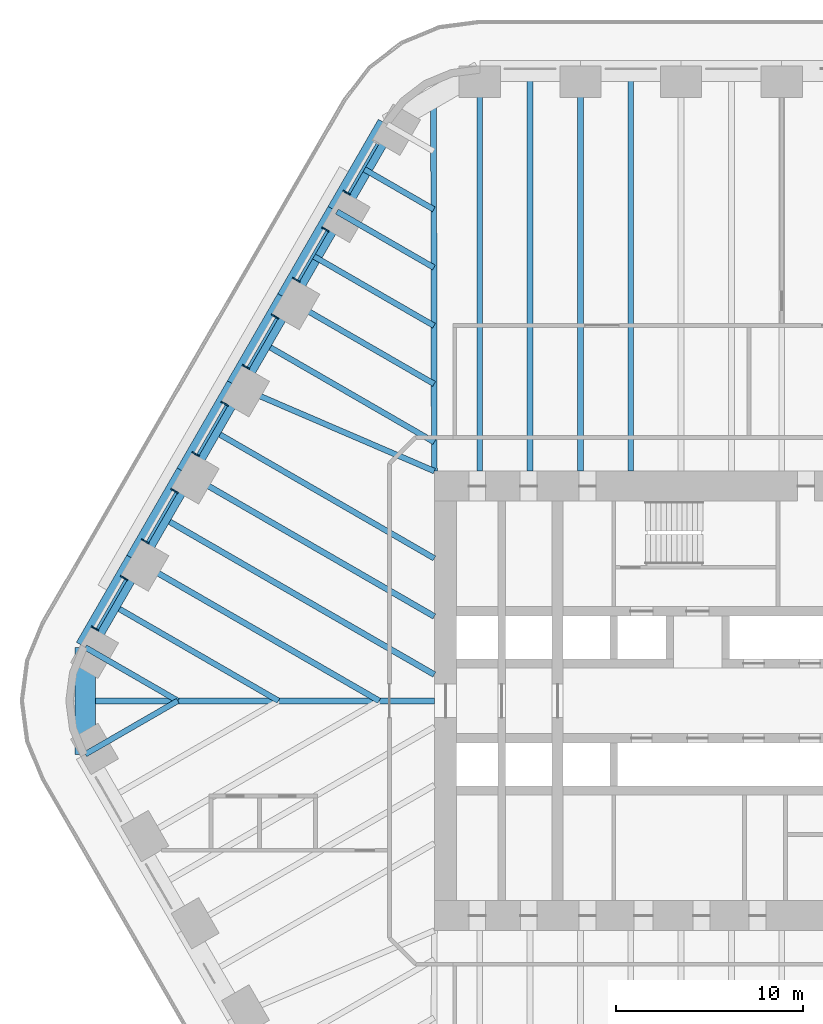
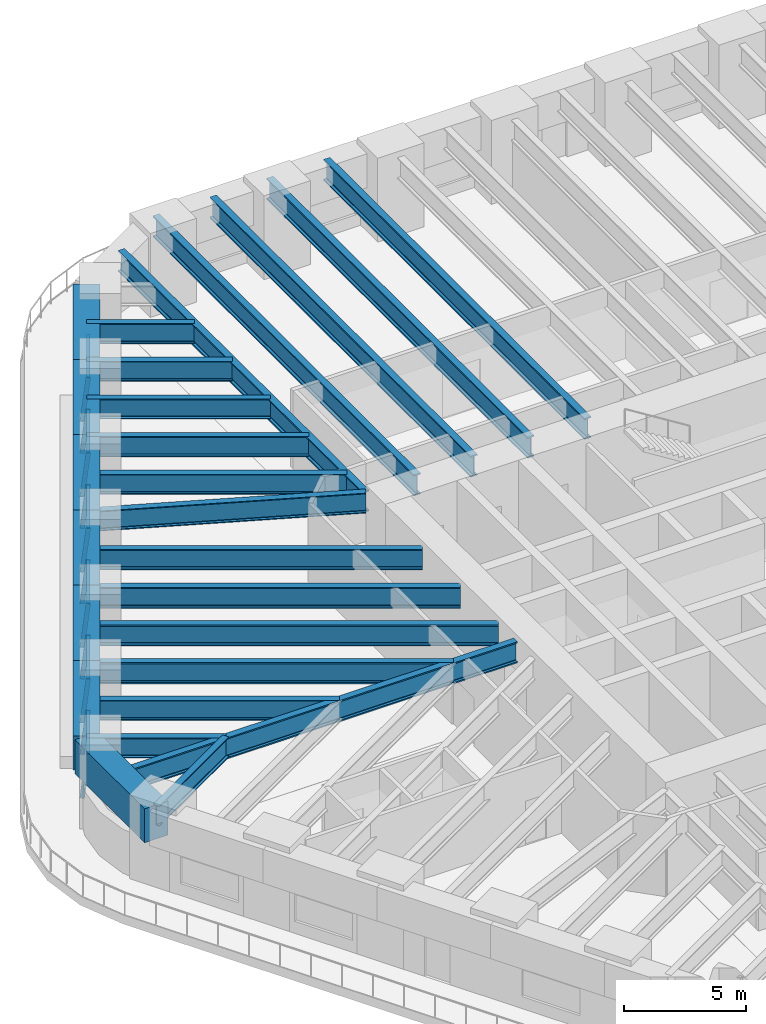
# One storey, part 4 of 16: 26 beams, 17 members, 6 elements without a shape of their own.
"""IFC4 building model written with IfcOpenShell, lengths in metres."""

from ifc_helpers import new_model, si_unit, direction, frame, origin, origin_2d, place, context, subcontext, project, spatial, rectangle, i_section, extrude, material, material_profile, profile_set, type_object, element, aggregate, save


model = new_model("IFC4")

# Units and contexts
model_context = context("Model", 3, precision=1e-05, world=origin(), true_north=direction((0.0, 1.0)))
body_context = subcontext(model_context, "Body", "Model", "MODEL_VIEW")
ifc_project = project(units=[si_unit("LENGTHUNIT", "METRE"), si_unit("AREAUNIT", "SQUARE_METRE"), si_unit("VOLUMEUNIT", "CUBIC_METRE"), si_unit("PLANEANGLEUNIT", "RADIAN"), si_unit("MASSUNIT", "GRAM", prefix="KILO")], contexts=[model_context])

# Site, building, storey
site_placement = place(None, origin())
site = spatial("IfcSite", under=ifc_project, at=site_placement, CompositionType="ELEMENT")
building_placement = place(site_placement, origin())
building = spatial("IfcBuilding", under=site, at=building_placement, Name="Tarfa Lantern Tower", CompositionType="ELEMENT")
storey_placement = place(building_placement, frame((0.0, 0.0, 103.300048828125)))
storey = spatial("IfcBuildingStorey", under=building, at=storey_placement, Name="L23", CompositionType="ELEMENT", Elevation=103.300048828125)

# Curtain wall, member
ifc_material_1 = material(Name="Aluminium framed curtain wall", Category="aluminium")
curtain_wall_type = type_object("IfcCurtainWallType", Name="CW1 CANTED GLAZING LOW ZONE 2200", PredefinedType="USERDEFINED", material=ifc_material_1)
curtain_wall_1_placement = place(storey_placement, origin())
curtain_wall_1 = element("IfcCurtainWall", 1, at=curtain_wall_1_placement, inside=storey, type_object=curtain_wall_type, Name="CW1 NW L23", ObjectType="CURTAIN WALL", PredefinedType="USERDEFINED")
ifc_material_2 = material(Name="Aluminium mullion", Category="aluminium")
ifc_material_profile_1 = material_profile(ifc_material_2, rectangle(XDim=0.06494140625, YDim=0.199951171875, at=origin_2d()), Name="AL MULLION 65x200")
ifc_profile_set_1 = profile_set([ifc_material_profile_1], Name="Aluminium mullion")
member_type_1 = type_object("IfcMemberType", Name="CWM1 MULLION 65x200", PredefinedType="MULLION", material=ifc_profile_set_1)
member_1_placement = place(storey_placement, frame((-23.4033203125, 27.26416015625, 0.0), z_axis=(0.097696336912, -0.056456573927, 0.99361364776), x_axis=(0.500342721131, 0.865827443207, 0.0)))
member_1 = element("IfcMember", 2, at=member_1_placement, type_object=member_type_1, Name="CW1 mullion 2", PredefinedType="MULLION", context=body_context, shape_type="SweptSolid", body=[
    extrude(rectangle(XDim=0.06494140625, YDim=0.199951171875, at=origin_2d()), origin(), (0.0, 0.0, 1.0), 2.214111328125),
])

# Curtain wall, members
curtain_wall_2_placement = place(storey_placement, origin())
curtain_wall_2 = element("IfcCurtainWall", 3, at=curtain_wall_2_placement, inside=storey, type_object=curtain_wall_type, Name="CW1 NW L23", ObjectType="CURTAIN WALL", PredefinedType="USERDEFINED")
member_2_placement = place(storey_placement, frame((-24.535888671875, 25.302490234375, 0.0), z_axis=(0.097805549444, -0.056455965406, 0.993602938033), x_axis=(0.499919672301, 0.866071776036, 0.0)))
member_2 = element("IfcMember", 4, at=member_2_placement, type_object=member_type_1, Name="CW1 mullion 1", PredefinedType="MULLION", context=body_context, shape_type="SweptSolid", body=[
    extrude(rectangle(XDim=0.06494140625, YDim=0.199951171875, at=origin_2d()), origin(), (0.0, 0.0, 1.0), 2.214111328125),
])
member_3_placement = place(storey_placement, frame((-26.09765625, 22.597412109375, 0.0), z_axis=(0.097805549444, -0.056455965406, 0.993602938033), x_axis=(0.499919672301, 0.866071776036, 0.0)))
member_3 = element("IfcMember", 5, at=member_3_placement, type_object=member_type_1, Name="CW1 mullion 2", PredefinedType="MULLION", context=body_context, shape_type="SweptSolid", body=[
    extrude(rectangle(XDim=0.06494140625, YDim=0.199951171875, at=origin_2d()), origin(), (0.0, 0.0, 1.0), 2.214111328125),
])

curtain_wall_3_placement = place(storey_placement, origin())
curtain_wall_3 = element("IfcCurtainWall", 6, at=curtain_wall_3_placement, inside=storey, type_object=curtain_wall_type, Name="CW1 NW L23", ObjectType="CURTAIN WALL", PredefinedType="USERDEFINED")
member_4_placement = place(storey_placement, frame((-27.230224609375, 20.635986328125, 0.0), z_axis=(0.097805549444, -0.056455965406, 0.993602938033), x_axis=(0.499919672301, 0.866071776036, 0.0)))
member_4 = element("IfcMember", 7, at=member_4_placement, type_object=member_type_1, Name="CW1 mullion 1", PredefinedType="MULLION", context=body_context, shape_type="SweptSolid", body=[
    extrude(rectangle(XDim=0.06494140625, YDim=0.199951171875, at=origin_2d()), origin(), (0.0, 0.0, 1.0), 2.214111328125),
])
member_5_placement = place(storey_placement, frame((-28.7919921875, 17.9306640625, 0.0), z_axis=(0.097805549444, -0.056455965406, 0.993602938033), x_axis=(0.499919672301, 0.866071776036, 0.0)))
member_5 = element("IfcMember", 8, at=member_5_placement, type_object=member_type_1, Name="CW1 mullion 2", PredefinedType="MULLION", context=body_context, shape_type="SweptSolid", body=[
    extrude(rectangle(XDim=0.06494140625, YDim=0.199951171875, at=origin_2d()), origin(), (0.0, 0.0, 1.0), 2.214111328125),
])

curtain_wall_4_placement = place(storey_placement, origin())
curtain_wall_4 = element("IfcCurtainWall", 9, at=curtain_wall_4_placement, inside=storey, type_object=curtain_wall_type, Name="CW1 NW L23", ObjectType="CURTAIN WALL", PredefinedType="USERDEFINED")
member_6_placement = place(storey_placement, frame((-29.924560546875, 15.96923828125, 0.0), z_axis=(0.097805549444, -0.056455965406, 0.993602938033), x_axis=(0.499919672301, 0.866071776036, 0.0)))
member_6 = element("IfcMember", 10, at=member_6_placement, type_object=member_type_1, Name="CW1 mullion 1", PredefinedType="MULLION", context=body_context, shape_type="SweptSolid", body=[
    extrude(rectangle(XDim=0.06494140625, YDim=0.199951171875, at=origin_2d()), origin(), (0.0, 0.0, 1.0), 2.214111328125),
])
member_7_placement = place(storey_placement, frame((-31.486328125, 13.26416015625, 0.0), z_axis=(0.097805549444, -0.056455965406, 0.993602938033), x_axis=(0.499919672301, 0.866071776036, 0.0)))
member_7 = element("IfcMember", 11, at=member_7_placement, type_object=member_type_1, Name="CW1 mullion 2", PredefinedType="MULLION", context=body_context, shape_type="SweptSolid", body=[
    extrude(rectangle(XDim=0.06494140625, YDim=0.199951171875, at=origin_2d()), origin(), (0.0, 0.0, 1.0), 2.214111328125),
])

curtain_wall_5_placement = place(storey_placement, origin())
curtain_wall_5 = element("IfcCurtainWall", 12, at=curtain_wall_5_placement, inside=storey, type_object=curtain_wall_type, Name="CW1 NW L23", ObjectType="CURTAIN WALL", PredefinedType="USERDEFINED")
member_8_placement = place(storey_placement, frame((-32.618896484375, 11.302490234375, 0.0), z_axis=(0.097805549444, -0.056455965406, 0.993602938033), x_axis=(0.499919672301, 0.866071776036, 0.0)))
member_8 = element("IfcMember", 13, at=member_8_placement, type_object=member_type_1, Name="CW1 mullion 1", PredefinedType="MULLION", context=body_context, shape_type="SweptSolid", body=[
    extrude(rectangle(XDim=0.06494140625, YDim=0.199951171875, at=origin_2d()), origin(), (0.0, 0.0, 1.0), 2.214111328125),
])
member_9_placement = place(storey_placement, frame((-34.1806640625, 8.597412109375, 0.0), z_axis=(0.097805549444, -0.056455965406, 0.993602938033), x_axis=(0.499919672301, 0.866071776036, 0.0)))
member_9 = element("IfcMember", 14, at=member_9_placement, type_object=member_type_1, Name="CW1 mullion 2", PredefinedType="MULLION", context=body_context, shape_type="SweptSolid", body=[
    extrude(rectangle(XDim=0.06494140625, YDim=0.199951171875, at=origin_2d()), origin(), (0.0, 0.0, 1.0), 2.214111328125),
])

curtain_wall_6_placement = place(storey_placement, origin())
curtain_wall_6 = element("IfcCurtainWall", 15, at=curtain_wall_6_placement, inside=storey, type_object=curtain_wall_type, Name="CW1 NW L23", ObjectType="CURTAIN WALL", PredefinedType="USERDEFINED")
member_10_placement = place(storey_placement, frame((-35.313232421875, 6.635986328125, 0.0), z_axis=(0.097805549444, -0.056455965406, 0.993602938033), x_axis=(0.499919672301, 0.866071776036, 0.0)))
member_10 = element("IfcMember", 16, at=member_10_placement, type_object=member_type_1, Name="CW1 mullion 1", PredefinedType="MULLION", context=body_context, shape_type="SweptSolid", body=[
    extrude(rectangle(XDim=0.06494140625, YDim=0.199951171875, at=origin_2d()), origin(), (0.0, 0.0, 1.0), 2.214111328125),
])
member_11_placement = place(storey_placement, frame((-36.875, 3.9306640625, 0.0), z_axis=(0.097805549444, -0.056455965406, 0.993602938033), x_axis=(0.499919672301, 0.866071776036, 0.0)))
member_11 = element("IfcMember", 17, at=member_11_placement, type_object=member_type_1, Name="CW1 mullion 2", PredefinedType="MULLION", context=body_context, shape_type="SweptSolid", body=[
    extrude(rectangle(XDim=0.06494140625, YDim=0.199951171875, at=origin_2d()), origin(), (0.0, 0.0, 1.0), 2.214111328125),
])

# Member
ifc_material_3 = material(Name="Aluminium transom", Category="aluminium")
ifc_material_profile_2 = material_profile(ifc_material_3, rectangle(XDim=0.14990234375, YDim=0.06494140625, at=origin_2d()), Name="AL TRANSOM 150x65")
ifc_profile_set_2 = profile_set([ifc_material_profile_2], Name="Aluminium transom")
member_type_2 = type_object("IfcMemberType", Name="CWT1 TRANSOM 150x65", PredefinedType="USERDEFINED", material=ifc_profile_set_2)
member_12_placement = place(storey_placement, frame((-21.64453125, 29.81787109375, 2.16748046875), z_axis=(-0.500019572571, -0.86601410326, 0.0), x_axis=(0.86601410326, -0.500019572571, 0.0)))
member_12 = element("IfcMember", 18, at=member_12_placement, type_object=member_type_2, Name="CW1 transom 1.2", ObjectType="TRANSOM", PredefinedType="USERDEFINED", context=body_context, shape_type="SweptSolid", body=[
    extrude(rectangle(XDim=0.14990234375, YDim=0.06494140625, at=origin_2d()), origin(), (0.0, 0.0, 1.0), 3.05859375),
])

aggregate(curtain_wall_1, [member_1, member_12])

member_13_placement = place(storey_placement, frame((-24.3388671875, 25.1513671875, 2.16748046875), z_axis=(-0.499985008713, -0.866034058835, 0.0), x_axis=(0.866034058835, -0.499985008713, 0.0)))
member_13 = element("IfcMember", 19, at=member_13_placement, type_object=member_type_2, Name="CW1 transom 1.2", ObjectType="TRANSOM", PredefinedType="USERDEFINED", context=body_context, shape_type="SweptSolid", body=[
    extrude(rectangle(XDim=0.14990234375, YDim=0.06494140625, at=origin_2d()), origin(), (0.0, 0.0, 1.0), 3.05859375),
])

aggregate(curtain_wall_2, [member_2, member_3, member_13])

member_14_placement = place(storey_placement, frame((-27.033203125, 20.484619140625, 2.16748046875), z_axis=(-0.499985008713, -0.866034058835, 0.0), x_axis=(0.866034058835, -0.499985008713, 0.0)))
member_14 = element("IfcMember", 20, at=member_14_placement, type_object=member_type_2, Name="CW1 transom 1.2", ObjectType="TRANSOM", PredefinedType="USERDEFINED", context=body_context, shape_type="SweptSolid", body=[
    extrude(rectangle(XDim=0.14990234375, YDim=0.06494140625, at=origin_2d()), origin(), (0.0, 0.0, 1.0), 3.05859375),
])

aggregate(curtain_wall_3, [member_4, member_5, member_14])

member_15_placement = place(storey_placement, frame((-29.7275390625, 15.81787109375, 2.16748046875), z_axis=(-0.500019572571, -0.86601410326, 0.0), x_axis=(0.86601410326, -0.500019572571, 0.0)))
member_15 = element("IfcMember", 21, at=member_15_placement, type_object=member_type_2, Name="CW1 transom 1.2", ObjectType="TRANSOM", PredefinedType="USERDEFINED", context=body_context, shape_type="SweptSolid", body=[
    extrude(rectangle(XDim=0.14990234375, YDim=0.06494140625, at=origin_2d()), origin(), (0.0, 0.0, 1.0), 3.05859375),
])

aggregate(curtain_wall_4, [member_6, member_7, member_15])

member_16_placement = place(storey_placement, frame((-32.421875, 11.1513671875, 2.16748046875), z_axis=(-0.499985008713, -0.866034058835, 0.0), x_axis=(0.866034058835, -0.499985008713, 0.0)))
member_16 = element("IfcMember", 22, at=member_16_placement, type_object=member_type_2, Name="CW1 transom 1.2", ObjectType="TRANSOM", PredefinedType="USERDEFINED", context=body_context, shape_type="SweptSolid", body=[
    extrude(rectangle(XDim=0.14990234375, YDim=0.06494140625, at=origin_2d()), origin(), (0.0, 0.0, 1.0), 3.05859375),
])

aggregate(curtain_wall_5, [member_8, member_9, member_16])

member_17_placement = place(storey_placement, frame((-35.115966796875, 6.484619140625, 2.16748046875), z_axis=(-0.499985008713, -0.866034058835, 0.0), x_axis=(0.866034058835, -0.499985008713, 0.0)))
member_17 = element("IfcMember", 23, at=member_17_placement, type_object=member_type_2, Name="CW1 transom 1.2", ObjectType="TRANSOM", PredefinedType="USERDEFINED", context=body_context, shape_type="SweptSolid", body=[
    extrude(rectangle(XDim=0.14990234375, YDim=0.06494140625, at=origin_2d()), origin(), (0.0, 0.0, 1.0), 3.05859375),
])

aggregate(curtain_wall_6, [member_10, member_11, member_17])

# Beams
ifc_material_4 = material(Name="Concrete C80/95", Category="concrete")
ifc_material_profile_3 = material_profile(ifc_material_4, rectangle(XDim=1.10009765625, YDim=1.699951171875, at=origin_2d()), Name="RC 1100x1700")
ifc_profile_set_3 = profile_set([ifc_material_profile_3], Name="Concrete C80/95")
beam_type_1 = type_object("IfcBeamType", Name="RB1 RC 1100x1700", PredefinedType="BEAM", material=ifc_profile_set_3)
for number, where, z_axis, x_axis, name in (
    (24, (-21.119384765625, 30.860107421875, 3.050048828125), (-0.499998287579, -0.866026392449, 0.0), (0.866026392449, -0.499998287579, 0.0), "Edge beam NW0"),
    (25, (-23.813720703125, 26.193359375, 3.050048828125), (-0.499998287579, -0.866026392449, 0.0), (0.866026392449, -0.499998287579, 0.0), "Edge beam NW1"),
):
    element("IfcBeam", number, at=place(storey_placement, frame(where, z_axis=z_axis, x_axis=x_axis)), inside=storey, type_object=beam_type_1, Name=name, PredefinedType="BEAM", context=body_context, shape_type="SweptSolid", body=[
        extrude(rectangle(XDim=1.10009765625, YDim=1.699951171875, at=origin_2d()), origin(), (0.0, 0.0, 1.0), 5.388671875),
    ])
beam_1_placement = place(storey_placement, frame((-26.508056640625, 21.526611328125, 3.050048828125), z_axis=(-0.500017906299, -0.866015065331, 0.0), x_axis=(0.866015065331, -0.500017906299, 0.0)))
element("IfcBeam", 26, at=beam_1_placement, inside=storey, type_object=beam_type_1, Name="Edge beam NW2", PredefinedType="BEAM", context=body_context, shape_type="SweptSolid", body=[
    extrude(rectangle(XDim=1.10009765625, YDim=1.699951171875, at=origin_2d()), origin(), (0.0, 0.0, 1.0), 5.388427734375),
])
for number, where, z_axis, x_axis, name in (
    (27, (-29.202392578125, 16.860107421875, 3.050048828125), (-0.499998287579, -0.866026392449, 0.0), (0.866026392449, -0.499998287579, 0.0), "Edge beam NW3"),
    (28, (-31.896728515625, 12.193359375, 3.050048828125), (-0.499998287579, -0.866026392449, 0.0), (0.866026392449, -0.499998287579, 0.0), "Edge beam NW4"),
):
    element("IfcBeam", number, at=place(storey_placement, frame(where, z_axis=z_axis, x_axis=x_axis)), inside=storey, type_object=beam_type_1, Name=name, PredefinedType="BEAM", context=body_context, shape_type="SweptSolid", body=[
        extrude(rectangle(XDim=1.10009765625, YDim=1.699951171875, at=origin_2d()), origin(), (0.0, 0.0, 1.0), 5.388671875),
    ])
beam_2_placement = place(storey_placement, frame((-34.591064453125, 7.526611328125, 3.050048828125), z_axis=(-0.500017906299, -0.866015065331, 0.0), x_axis=(0.866015065331, -0.500017906299, 0.0)))
element("IfcBeam", 29, at=beam_2_placement, inside=storey, type_object=beam_type_1, Name="Edge beam NW5", PredefinedType="BEAM", context=body_context, shape_type="SweptSolid", body=[
    extrude(rectangle(XDim=1.10009765625, YDim=1.699951171875, at=origin_2d()), origin(), (0.0, 0.0, 1.0), 5.388427734375),
])
beam_3_placement = place(storey_placement, frame((-37.285400390625, 2.860107421875, 3.050048828125), z_axis=(0.0, -1.0, 0.0), x_axis=(1.0, 0.0, 0.0)))
element("IfcBeam", 30, at=beam_3_placement, inside=storey, type_object=beam_type_1, Name="Edge beam NW6", PredefinedType="BEAM", context=body_context, shape_type="SweptSolid", body=[
    extrude(rectangle(XDim=1.10009765625, YDim=1.699951171875, at=origin_2d()), origin(), (0.0, 0.0, 1.0), 5.72021484375),
])
ifc_material_5 = material(Name="Steel S460M", Category="steel")
ifc_material_profile_4 = material_profile(ifc_material_5, i_section(OverallWidth=0.302001953125, OverallDepth=1.008056640625, WebThickness=0.02099609375, FlangeThickness=0.0400390625, FilletRadius=0.030029296875, at=origin_2d()), Name="UB1016x305x349")
ifc_profile_set_4 = profile_set([ifc_material_profile_4], Name="Steel S460M")
beam_type_2 = type_object("IfcBeamType", Name="UB1016x305x349", PredefinedType="BEAM", material=ifc_profile_set_4)
beam_4_placement = place(storey_placement, frame((-23.813720703125, 26.193359375, 3.39599609375), z_axis=(0.866015997389, -0.500016292001, 0.0), x_axis=(0.500016292001, 0.866015997389, 0.0)))
element("IfcBeam", 31, at=beam_4_placement, inside=storey, type_object=beam_type_2, Name="Floor beam NW1", PredefinedType="BEAM", context=body_context, shape_type="SweptSolid", body=[
    extrude(i_section(OverallWidth=0.302001953125, OverallDepth=1.008056640625, WebThickness=0.02099609375, FlangeThickness=0.0400390625, FilletRadius=0.030029296875, at=origin_2d()), origin(), (0.0, 0.0, 1.0), 5.993408203125),
])
beam_5_placement = place(storey_placement, frame((-26.508056640625, 21.526611328125, 3.39599609375), z_axis=(0.866035355799, -0.49998276221, 0.0), x_axis=(0.49998276221, 0.866035355799, 0.0)))
element("IfcBeam", 32, at=beam_5_placement, inside=storey, type_object=beam_type_2, Name="Floor beam NW2", PredefinedType="BEAM", context=body_context, shape_type="SweptSolid", body=[
    extrude(i_section(OverallWidth=0.302001953125, OverallDepth=1.008056640625, WebThickness=0.02099609375, FlangeThickness=0.0400390625, FilletRadius=0.030029296875, at=origin_2d()), origin(), (0.0, 0.0, 1.0), 9.119873046875),
])
beam_6_placement = place(storey_placement, frame((-29.202392578125, 16.860107421875, 3.39599609375), z_axis=(0.918635483867, -0.395106122175, 0.0), x_axis=(0.395106122175, 0.918635483867, 0.0)))
element("IfcBeam", 33, at=beam_6_placement, inside=storey, type_object=beam_type_2, Name="Floor beam NW3", PredefinedType="BEAM", context=body_context, shape_type="SweptSolid", body=[
    extrude(i_section(OverallWidth=0.302001953125, OverallDepth=1.008056640625, WebThickness=0.02099609375, FlangeThickness=0.0400390625, FilletRadius=0.030029296875, at=origin_2d()), origin(), (0.0, 0.0, 1.0), 11.541259765625),
])
for number, where, z_axis, x_axis, name in (
    (34, (-37.285400390625, 2.860107421875, 3.39599609375), (0.866025668288, -0.499999541866, 0.0), (0.499999541866, 0.866025668288, 0.0), "Floor beam NW6"),
    (35, (-37.285400390625, -2.860107421875, 3.39599609375), (0.866025668288, 0.499999541866, 0.0), (-0.499999541866, 0.866025668288, 0.0), "Floor beam SW0"),
):
    element("IfcBeam", number, at=place(storey_placement, frame(where, z_axis=z_axis, x_axis=x_axis)), inside=storey, type_object=beam_type_2, Name=name, PredefinedType="BEAM", context=body_context, shape_type="SweptSolid", body=[
        extrude(i_section(OverallWidth=0.302001953125, OverallDepth=1.008056640625, WebThickness=0.02099609375, FlangeThickness=0.0400390625, FilletRadius=0.030029296875, at=origin_2d()), origin(), (0.0, 0.0, 1.0), 5.72021484375),
    ])
beam_7_placement = place(storey_placement, frame((-22.466552734375, 28.526611328125, 3.39599609375), z_axis=(0.866026823135, -0.499997541604, 0.0), x_axis=(0.499997541604, 0.866026823135, 0.0)))
element("IfcBeam", 36, at=beam_7_placement, inside=storey, type_object=beam_type_2, Name="Floor beam NW0M", PredefinedType="BEAM", context=body_context, shape_type="SweptSolid", body=[
    extrude(i_section(OverallWidth=0.302001953125, OverallDepth=1.008056640625, WebThickness=0.02099609375, FlangeThickness=0.0400390625, FilletRadius=0.030029296875, at=origin_2d()), origin(), (0.0, 0.0, 1.0), 4.43017578125),
])
beam_8_placement = place(storey_placement, frame((-25.160888671875, 23.860107421875, 3.39599609375), z_axis=(0.866009650502, -0.500027284493, 0.0), x_axis=(0.500027284493, 0.866009650502, 0.0)))
element("IfcBeam", 37, at=beam_8_placement, inside=storey, type_object=beam_type_2, Name="Floor beam NW1M", PredefinedType="BEAM", context=body_context, shape_type="SweptSolid", body=[
    extrude(i_section(OverallWidth=0.302001953125, OverallDepth=1.008056640625, WebThickness=0.02099609375, FlangeThickness=0.0400390625, FilletRadius=0.030029296875, at=origin_2d()), origin(), (0.0, 0.0, 1.0), 7.556640625),
])
beam_9_placement = place(storey_placement, frame((-27.855224609375, 19.193359375, 3.39599609375), z_axis=(0.866028034017, -0.499995444275, 0.0), x_axis=(0.499995444275, 0.866028034017, 0.0)))
element("IfcBeam", 38, at=beam_9_placement, inside=storey, type_object=beam_type_2, Name="Floor beam NW2M", PredefinedType="BEAM", context=body_context, shape_type="SweptSolid", body=[
    extrude(i_section(OverallWidth=0.302001953125, OverallDepth=1.008056640625, WebThickness=0.02099609375, FlangeThickness=0.0400390625, FilletRadius=0.030029296875, at=origin_2d()), origin(), (0.0, 0.0, 1.0), 10.68310546875),
])
beam_10_placement = place(storey_placement, frame((-30.549560546875, 14.526611328125, 3.39599609375), z_axis=(0.866028536827, -0.499994573371, 0.0), x_axis=(0.499994573371, 0.866028536827, 0.0)))
element("IfcBeam", 39, at=beam_10_placement, inside=storey, type_object=beam_type_2, Name="Floor beam NW3M", PredefinedType="BEAM", context=body_context, shape_type="SweptSolid", body=[
    extrude(i_section(OverallWidth=0.302001953125, OverallDepth=1.008056640625, WebThickness=0.02099609375, FlangeThickness=0.0400390625, FilletRadius=0.030029296875, at=origin_2d()), origin(), (0.0, 0.0, 1.0), 13.798095703125),
])
beam_11_placement = place(storey_placement, frame((-35.938232421875, 5.193359375, 3.39599609375), z_axis=(0.866024317969, -0.500001880682, 0.0), x_axis=(0.500001880682, 0.866024317969, 0.0)))
element("IfcBeam", 40, at=beam_11_placement, inside=storey, type_object=beam_type_2, Name="Floor beam NW5M", PredefinedType="BEAM", context=body_context, shape_type="SweptSolid", body=[
    extrude(i_section(OverallWidth=0.302001953125, OverallDepth=1.008056640625, WebThickness=0.02099609375, FlangeThickness=0.0400390625, FilletRadius=0.030029296875, at=origin_2d()), origin(), (0.0, 0.0, 1.0), 10.38671875),
])
ifc_material_profile_5 = material_profile(ifc_material_5, i_section(OverallWidth=0.314208984375, OverallDepth=1.055908203125, WebThickness=0.035888671875, FlangeThickness=0.06396484375, FilletRadius=0.030029296875, at=origin_2d()), Name="UB1016x305x584")
ifc_profile_set_5 = profile_set([ifc_material_profile_5], Name="Steel S460M")
beam_type_3 = type_object("IfcBeamType", Name="UB1016x305x584", PredefinedType="BEAM", material=ifc_profile_set_5)
beam_12_placement = place(storey_placement, frame((-18.60009765625, 12.300048828125, 3.3720703125), z_axis=(-0.00212508222, 0.99999774201, 0.0), x_axis=(-0.99999774201, -0.00212508222, 0.0)))
element("IfcBeam", 41, at=beam_12_placement, inside=storey, type_object=beam_type_3, Name="Hip girder NW", PredefinedType="BEAM", context=body_context, shape_type="SweptSolid", body=[
    extrude(i_section(OverallWidth=0.314208984375, OverallDepth=1.055908203125, WebThickness=0.035888671875, FlangeThickness=0.06396484375, FilletRadius=0.030029296875, at=origin_2d()), origin(), (0.0, 0.0, 1.0), 19.989990234375),
])
beam_13_placement = place(storey_placement, frame((-18.60009765625, 0.0, 3.3720703125), z_axis=(-1.0, 0.0, 0.0), x_axis=(0.0, -1.0, 0.0)))
element("IfcBeam", 42, at=beam_13_placement, inside=storey, type_object=beam_type_3, Name="Hip girder W", PredefinedType="BEAM", context=body_context, shape_type="SweptSolid", body=[
    extrude(i_section(OverallWidth=0.314208984375, OverallDepth=1.055908203125, WebThickness=0.035888671875, FlangeThickness=0.06396484375, FilletRadius=0.030029296875, at=origin_2d()), origin(), (0.0, 0.0, 1.0), 18.685302734375),
])
for number, where, z_axis, x_axis, name in (
    (43, (-10.777099609375, 33.719970703125, 3.3720703125), (0.0, -1.0, 0.0), (1.0, 0.0, 0.0), "Floor beam N5"),
    (44, (-16.165771484375, 33.719970703125, 3.3720703125), (0.0, -1.0, 0.0), (1.0, 0.0, 0.0), "Floor beam N6"),
):
    element("IfcBeam", number, at=place(storey_placement, frame(where, z_axis=z_axis, x_axis=x_axis)), inside=storey, type_object=beam_type_3, Name=name, PredefinedType="BEAM", context=body_context, shape_type="SweptSolid", body=[
        extrude(i_section(OverallWidth=0.314208984375, OverallDepth=1.055908203125, WebThickness=0.035888671875, FlangeThickness=0.06396484375, FilletRadius=0.030029296875, at=origin_2d()), origin(), (0.0, 0.0, 1.0), 21.419921875),
    ])
beam_14_placement = place(storey_placement, frame((-31.896728515625, 12.193359375, 3.3720703125), z_axis=(0.866026971665, -0.499997284341, 0.0), x_axis=(0.499997284341, 0.866026971665, 0.0)))
element("IfcBeam", 45, at=beam_14_placement, inside=storey, type_object=beam_type_3, Name="Floor beam NW4", PredefinedType="BEAM", context=body_context, shape_type="SweptSolid", body=[
    extrude(i_section(OverallWidth=0.314208984375, OverallDepth=1.055908203125, WebThickness=0.035888671875, FlangeThickness=0.06396484375, FilletRadius=0.030029296875, at=origin_2d()), origin(), (0.0, 0.0, 1.0), 15.353515625),
])
beam_15_placement = place(storey_placement, frame((-34.591064453125, 7.526611328125, 3.3720703125), z_axis=(0.86602785945, -0.499995746638, 0.0), x_axis=(0.499995746638, 0.86602785945, 0.0)))
element("IfcBeam", 46, at=beam_15_placement, inside=storey, type_object=beam_type_3, Name="Floor beam NW5", PredefinedType="BEAM", context=body_context, shape_type="SweptSolid", body=[
    extrude(i_section(OverallWidth=0.314208984375, OverallDepth=1.055908203125, WebThickness=0.035888671875, FlangeThickness=0.06396484375, FilletRadius=0.030029296875, at=origin_2d()), origin(), (0.0, 0.0, 1.0), 15.053466796875),
])
for number, where, z_axis, x_axis, name in (
    (47, (-8.0830078125, 33.719970703125, 3.3720703125), (0.0, -1.0, 0.0), (1.0, 0.0, 0.0), "Floor beam N4M"),
    (48, (-13.471435546875, 33.719970703125, 3.3720703125), (0.0, -1.0, 0.0), (1.0, 0.0, 0.0), "Floor beam N5M"),
):
    element("IfcBeam", number, at=place(storey_placement, frame(where, z_axis=z_axis, x_axis=x_axis)), inside=storey, type_object=beam_type_3, Name=name, PredefinedType="BEAM", context=body_context, shape_type="SweptSolid", body=[
        extrude(i_section(OverallWidth=0.314208984375, OverallDepth=1.055908203125, WebThickness=0.035888671875, FlangeThickness=0.06396484375, FilletRadius=0.030029296875, at=origin_2d()), origin(), (0.0, 0.0, 1.0), 21.419921875),
    ])
beam_16_placement = place(storey_placement, frame((-33.243896484375, 9.860107421875, 3.3720703125), z_axis=(0.866019442478, -0.500010325144, 0.0), x_axis=(0.500010325144, 0.866019442478, 0.0)))
element("IfcBeam", 49, at=beam_16_placement, inside=storey, type_object=beam_type_3, Name="Floor beam NW4M", PredefinedType="BEAM", context=body_context, shape_type="SweptSolid", body=[
    extrude(i_section(OverallWidth=0.314208984375, OverallDepth=1.055908203125, WebThickness=0.035888671875, FlangeThickness=0.06396484375, FilletRadius=0.030029296875, at=origin_2d()), origin(), (0.0, 0.0, 1.0), 16.909423828125),
])

save(model, "model.ifc")
